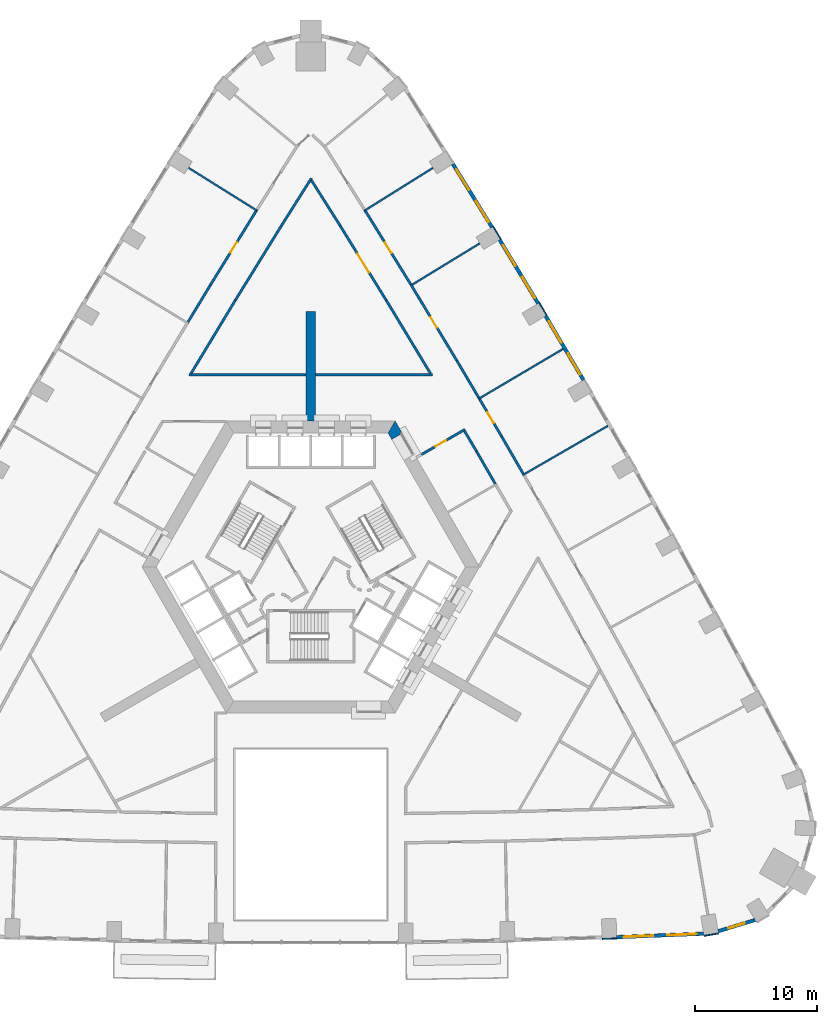
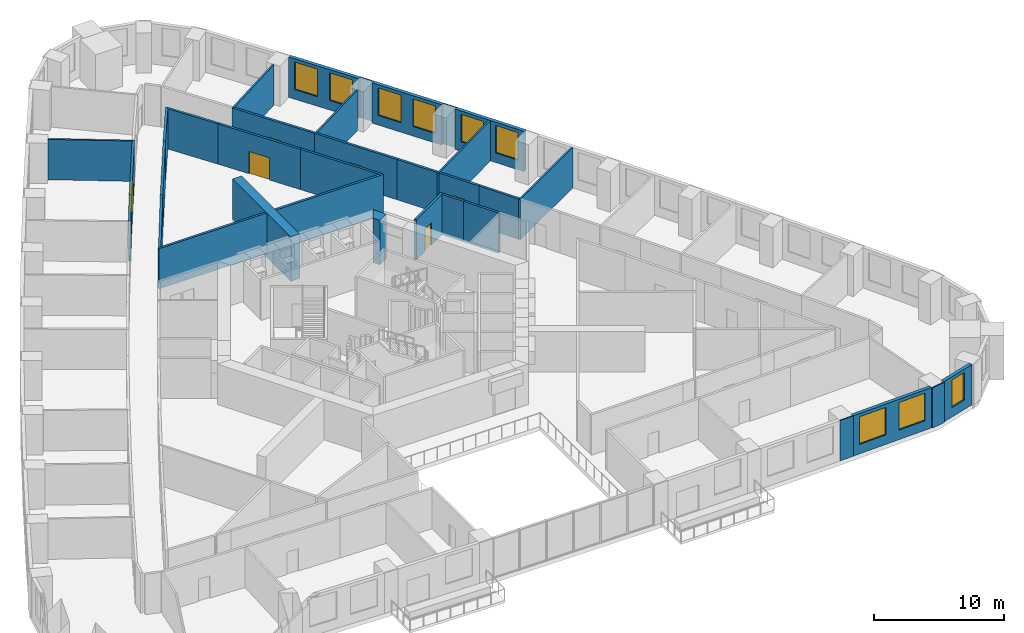
# One storey, part 10 of 15: 34 walls, 9 windows, 6 doors, 15 openings.
"""IFC4 building model written with IfcOpenShell, lengths in metres."""

from ifc_helpers import new_model, si_unit, direction, frame, frame_2d, origin, place, context, subcontext, project, spatial, polyline, rectangle, outline, extrude, material, layer, layer_set, type_object, element, fill, save


model = new_model("IFC4")

# Units and contexts
model_context = context("Model", 3, precision=1e-05, world=origin(), true_north=direction((0.0, 1.0)))
body_context = subcontext(model_context, "Body", "Model", "MODEL_VIEW")
ifc_project = project(units=[si_unit("LENGTHUNIT", "METRE"), si_unit("AREAUNIT", "SQUARE_METRE"), si_unit("VOLUMEUNIT", "CUBIC_METRE"), si_unit("PLANEANGLEUNIT", "RADIAN"), si_unit("MASSUNIT", "GRAM", prefix="KILO")], contexts=[model_context])

# Site, building, storey
site_placement = place(None, origin())
site = spatial("IfcSite", under=ifc_project, at=site_placement, CompositionType="ELEMENT")
building_placement = place(site_placement, origin())
building = spatial("IfcBuilding", under=site, at=building_placement, Name="Entoto Arch Interchange Tower", CompositionType="ELEMENT")
storey_placement = place(building_placement, frame((0.0, 0.0, 39.199951171875)))
storey = spatial("IfcBuildingStorey", under=building, at=storey_placement, Name="L07", CompositionType="ELEMENT", Elevation=39.199951171875)

# Walls
ifc_material_1 = material(Name="Concrete C60/75", Category="concrete")
ifc_layer_1 = layer(ifc_material_1, 0.800048828125)
ifc_layer_set_1 = layer_set([ifc_layer_1], Name="Concrete C60/75")
wall_type_1 = type_object("IfcWallType", Name="Buttress wall 800 C60/75", PredefinedType="SHEAR", material=ifc_layer_set_1)
wall_1_placement = place(storey_placement, frame((0.0, 14.5, -0.39990234375), z_axis=(0.0, 0.0, 1.0), x_axis=(0.0, 1.0, 0.0)))
element("IfcWall", 1, at=wall_1_placement, inside=storey, type_object=wall_type_1, Name="Buttress wall N L07", PredefinedType="SHEAR", context=body_context, shape_type="SweptSolid", body=[
    extrude(rectangle(XDim=9.0, YDim=0.800048828125, at=frame_2d((4.5, 0.0))), origin(), (0.0, 0.0, 1.0), 4.199951171875),
])
ifc_layer_2 = layer(ifc_material_1, 1.0)
ifc_layer_set_2 = layer_set([ifc_layer_2], Name="Concrete C60/75")
wall_type_2 = type_object("IfcWallType", Name="Core wall 1000 C60/75", PredefinedType="SHEAR", material=ifc_layer_set_2)
wall_2_placement = place(storey_placement, frame((0.0, 0.0, -0.39990234375)))
element("IfcWall", 2, at=wall_2_placement, inside=storey, type_object=wall_type_2, Name="Core wall NE L07", PredefinedType="SHEAR", context=body_context, shape_type="SweptSolid", body=[
    extrude(outline(polyline([(6.65087890625, 12.97998046875), (7.51708984375, 13.47998046875), (6.927978515625, 14.5), (6.35107421875, 13.5), (6.65087890625, 12.97998046875)])), origin(), (0.0, 0.0, 1.0), 4.199951171875),
])
ifc_material_2 = material(Name="Gypsum board partition on steel studs", Category="steel")
ifc_layer_3 = layer(ifc_material_2, 0.14990234375)
ifc_layer_set_3 = layer_set([ifc_layer_3], Name="Gypsum board partition on steel studs")
wall_type_3 = type_object("IfcWallType", Name="PARTITION 150", PredefinedType="PARTITIONING", material=ifc_layer_set_3)
wall_3_placement = place(storey_placement, frame((17.39892578125, 10.044921875, 0.0), z_axis=(0.0, 0.0, 1.0), x_axis=(0.865980803489, 0.500077242023, 0.0)))
element("IfcWall", 3, at=wall_3_placement, inside=storey, type_object=wall_type_3, Name="wall:L07:p131", PredefinedType="PARTITIONING", context=body_context, shape_type="SweptSolid", body=[
    extrude(rectangle(XDim=8.100830078125, YDim=0.14990234375, at=frame_2d((4.05029296875, 0.0))), origin(), (0.0, 0.0, 1.0), 3.800048828125),
])
wall_4_placement = place(storey_placement, frame((13.751953125, 16.2890625, 0.0), z_axis=(0.0, 0.0, 1.0), x_axis=(0.86093852802, 0.508709004216, 0.0)))
element("IfcWall", 4, at=wall_4_placement, inside=storey, type_object=wall_type_3, Name="wall:L07:p132", PredefinedType="PARTITIONING", context=body_context, shape_type="SweptSolid", body=[
    extrude(rectangle(XDim=8.1005859375, YDim=0.14990234375, at=frame_2d((4.05029296875, 0.0))), origin(), (0.0, 0.0, 1.0), 3.800048828125),
])
wall_5_placement = place(storey_placement, frame((8.342041015625, 25.696044921875, 0.0), z_axis=(0.0, 0.0, 1.0), x_axis=(0.853252966465, 0.521497243731, 0.0)))
element("IfcWall", 5, at=wall_5_placement, inside=storey, type_object=wall_type_3, Name="wall:L07:p133", PredefinedType="PARTITIONING", context=body_context, shape_type="SweptSolid", body=[
    extrude(rectangle(XDim=6.481201171875, YDim=0.14990234375, at=frame_2d((3.24072265625, 0.0))), origin(), (0.0, 0.0, 1.0), 3.800048828125),
])
for number, where, z_axis, x_axis, name in (
    (6, (4.4541015625, 31.7958984375, 0.0), (0.0, 0.0, 1.0), (0.847954529694, 0.530068972467, 0.0), "wall:L07:p134"),
    (7, (-4.4541015625, 31.7958984375, 0.0), (0.0, 0.0, 1.0), (-0.847954529694, 0.530068972467, 0.0), "wall:L07:p137"),
):
    element("IfcWall", number, at=place(storey_placement, frame(where, z_axis=z_axis, x_axis=x_axis)), inside=storey, type_object=wall_type_3, Name=name, PredefinedType="PARTITIONING", context=body_context, shape_type="SweptSolid", body=[
        extrude(rectangle(XDim=6.580322265625, YDim=0.14990234375, at=frame_2d((3.2900390625, 0.0))), origin(), (0.0, 0.0, 1.0), 3.800048828125),
    ])
ifc_layer_4 = layer(ifc_material_2, 0.199951171875)
ifc_layer_set_4 = layer_set([ifc_layer_4], Name="Gypsum board partition on steel studs")
wall_type_4 = type_object("IfcWallType", Name="PARTITION 200", PredefinedType="PARTITIONING", material=ifc_layer_set_4)
wall_6_placement = place(storey_placement, frame((15.156982421875, 9.330078125, 0.0), z_axis=(0.0, 0.0, 1.0), x_axis=(-0.500058580706, 0.865991579556, 0.0)))
element("IfcWall", 8, at=wall_6_placement, inside=storey, type_object=wall_type_4, Name="wall:L07:p004", PredefinedType="PARTITIONING", context=body_context, shape_type="SweptSolid", body=[
    extrude(rectangle(XDim=3.101806640625, YDim=0.199951171875, at=frame_2d((1.55078125, 0.0))), origin(), (0.0, 0.0, 1.0), 3.800048828125),
])
wall_7_placement = place(storey_placement, frame((13.60595703125, 12.01611328125, 0.0), z_axis=(0.0, 0.0, 1.0), x_axis=(-0.508832553058, 0.860865513857, 0.0)))
element("IfcWall", 9, at=wall_7_placement, inside=storey, type_object=wall_type_4, Name="wall:L07:p005", PredefinedType="PARTITIONING", context=body_context, shape_type="SweptSolid", body=[
    extrude(rectangle(XDim=1.912109375, YDim=0.199951171875, at=frame_2d((0.9560546875, 0.0))), origin(), (0.0, 0.0, 1.0), 3.800048828125),
])

# Wall, opening, door
wall_8_placement = place(storey_placement, frame((12.6689453125, 13.799072265625, 0.0), z_axis=(0.0, 0.0, 1.0), x_axis=(-0.865966559136, -0.500101908074, 0.0)))
wall_8 = element("IfcWall", 10, at=wall_8_placement, inside=storey, type_object=wall_type_4, Name="wall:L07:p006", PredefinedType="PARTITIONING", context=body_context, shape_type="SweptSolid", body=[
    extrude(rectangle(XDim=4.121337890625, YDim=0.199951171875, at=frame_2d((2.060546875, 0.0))), origin(), (0.0, 0.0, 1.0), 3.800048828125),
])
opening_1_placement = place(wall_8_placement, frame((1.81005859375, 0.0, 0.0)))
opening_1 = element("IfcOpeningElement", 11, at=opening_1_placement, cuts=wall_8, Name="Opening L07-D36", PredefinedType="OPENING", context=body_context, shape_type="SweptSolid", body=[
    extrude(rectangle(XDim=1.0, YDim=2.10009765625, at=frame_2d((0.5, 1.050048828125))), frame((0.0, 0.10986328125, 0.0), z_axis=(0.0, -1.0, 0.0), x_axis=(1.0, 0.0, 0.0)), (0.0, 0.0, 1.0), 0.219970703125),
])
ifc_material_3 = material(Name="Timber door leaf in Steel S235 frame", Category="steel")
door_type_1 = type_object("IfcDoorType", Name="DOOR DS-10 1000x2100", OperationType="SINGLE_SWING_LEFT", PredefinedType="DOOR", material=ifc_material_3)
door_1_placement = place(opening_1_placement, origin())
door_1 = element("IfcDoor", 12, at=door_1_placement, inside=storey, type_object=door_type_1, Name="door:L07:36", OperationType="SINGLE_SWING_LEFT", OverallHeight=2.10009765625, OverallWidth=1.0, PredefinedType="DOOR", context=body_context, shape_type="SweptSolid", body=[
    extrude(rectangle(XDim=1.0, YDim=2.10009765625, at=frame_2d((0.5, 1.050048828125))), frame((0.0, 0.02490234375, 0.0), z_axis=(0.0, -1.0, 0.0), x_axis=(1.0, 0.0, 0.0)), (0.0, 0.0, 1.0), 0.050048828125),
])
fill(opening_1, door_1)

# Wall
wall_9_placement = place(storey_placement, frame((9.840087890625, 18.385986328125, 0.0), z_axis=(0.0, 0.0, 1.0), x_axis=(-0.51736780002, 0.85576314451, 0.0)))
element("IfcWall", 13, at=wall_9_placement, inside=storey, type_object=wall_type_4, Name="wall:L07:p008", PredefinedType="PARTITIONING", context=body_context, shape_type="SweptSolid", body=[
    extrude(rectangle(XDim=7.018310546875, YDim=0.199951171875, at=frame_2d((3.50927734375, 0.0))), origin(), (0.0, 0.0, 1.0), 3.800048828125),
])

# Wall, opening, door
wall_10_placement = place(storey_placement, frame((6.208984375, 24.39208984375, 0.0), z_axis=(0.0, 0.0, 1.0), x_axis=(-0.525766851327, 0.850628719269, 0.0)))
wall_10 = element("IfcWall", 14, at=wall_10_placement, inside=storey, type_object=wall_type_4, Name="wall:L07:p009", PredefinedType="PARTITIONING", context=body_context, shape_type="SweptSolid", body=[
    extrude(rectangle(XDim=7.20849609375, YDim=0.199951171875, at=frame_2d((3.604248046875, 0.0))), origin(), (0.0, 0.0, 1.0), 3.800048828125),
])
opening_2_placement = place(wall_10_placement, frame((2.7041015625, 0.0, 0.0)))
opening_2 = element("IfcOpeningElement", 15, at=opening_2_placement, cuts=wall_10, Name="Opening L07-D29", PredefinedType="OPENING", context=body_context, shape_type="SweptSolid", body=[
    extrude(rectangle(XDim=1.800048828125, YDim=2.10009765625, at=frame_2d((0.89990234375, 1.050048828125))), frame((0.0, 0.10986328125, 0.0), z_axis=(0.0, -1.0, 0.0), x_axis=(1.0, 0.0, 0.0)), (0.0, 0.0, 1.0), 0.219970703125),
])
door_type_2 = type_object("IfcDoorType", Name="DOOR DD-18 1800x2100", OperationType="DOUBLE_DOOR_SINGLE_SWING", PredefinedType="DOOR", material=ifc_material_3)
door_2_placement = place(opening_2_placement, origin())
door_2 = element("IfcDoor", 16, at=door_2_placement, inside=storey, type_object=door_type_2, Name="door:L07:29", OperationType="DOUBLE_DOOR_SINGLE_SWING", OverallHeight=2.10009765625, OverallWidth=1.800048828125, PredefinedType="DOOR", context=body_context, shape_type="SweptSolid", body=[
    extrude(rectangle(XDim=1.800048828125, YDim=2.10009765625, at=frame_2d((0.89990234375, 1.050048828125))), frame((0.0, 0.02490234375, 0.0), z_axis=(0.0, -1.0, 0.0), x_axis=(1.0, 0.0, 0.0)), (0.0, 0.0, 1.0), 0.050048828125),
])
fill(opening_2, door_2)

# Walls
wall_11_placement = place(storey_placement, frame((2.4189453125, 30.52392578125, 0.0), z_axis=(0.0, 0.0, 1.0), x_axis=(-0.534393348019, 0.845235913573, 0.0)))
element("IfcWall", 17, at=wall_11_placement, inside=storey, type_object=wall_type_4, Name="wall:L07:p010", PredefinedType="PARTITIONING", context=body_context, shape_type="SweptSolid", body=[
    extrude(rectangle(XDim=4.427490234375, YDim=0.199951171875, at=frame_2d((2.2138671875, 0.0))), origin(), (0.0, 0.0, 1.0), 3.800048828125),
])
wall_12_placement = place(storey_placement, frame((0.052978515625, 34.43505859375, 0.0), z_axis=(0.0, 0.0, 1.0), x_axis=(-0.534260976666, -0.845319589748, 0.0)))
element("IfcWall", 18, at=wall_12_placement, inside=storey, type_object=wall_type_4, Name="wall:L07:p011", PredefinedType="PARTITIONING", context=body_context, shape_type="SweptSolid", body=[
    extrude(rectangle(XDim=4.626708984375, YDim=0.199951171875, at=frame_2d((2.3134765625, 0.0))), origin(), (0.0, 0.0, 1.0), 3.800048828125),
])
wall_13_placement = place(storey_placement, frame((-2.4189453125, 30.52392578125, 0.0), z_axis=(0.0, 0.0, 1.0), x_axis=(-0.525766851327, -0.850628719269, 0.0)))
element("IfcWall", 19, at=wall_13_placement, inside=storey, type_object=wall_type_4, Name="wall:L07:p012", PredefinedType="PARTITIONING", context=body_context, shape_type="SweptSolid", body=[
    extrude(rectangle(XDim=7.20849609375, YDim=0.199951171875, at=frame_2d((3.604248046875, 0.0))), origin(), (0.0, 0.0, 1.0), 3.800048828125),
])
wall_14_placement = place(storey_placement, frame((-6.208984375, 24.39208984375, 0.0), z_axis=(0.0, 0.0, 1.0), x_axis=(-0.51736780002, -0.85576314451, 0.0)))
element("IfcWall", 20, at=wall_14_placement, inside=storey, type_object=wall_type_4, Name="wall:L07:p013", PredefinedType="PARTITIONING", context=body_context, shape_type="SweptSolid", body=[
    extrude(rectangle(XDim=7.018310546875, YDim=0.199951171875, at=frame_2d((3.50927734375, 0.0))), origin(), (0.0, 0.0, 1.0), 3.800048828125),
])

# Wall, opening, door
wall_15_placement = place(storey_placement, frame((13.876953125, 16.27490234375, 0.0), z_axis=(0.0, 0.0, 1.0), x_axis=(0.508613166028, -0.860995149431, 0.0)))
wall_15 = element("IfcWall", 21, at=wall_15_placement, inside=storey, type_object=wall_type_4, Name="wall:L07:p047", PredefinedType="PARTITIONING", context=body_context, shape_type="SweptSolid", body=[
    extrude(rectangle(XDim=3.541015625, YDim=0.199951171875, at=frame_2d((1.7705078125, 0.0))), origin(), (0.0, 0.0, 1.0), 3.800048828125),
])
opening_3_placement = place(wall_15_placement, frame((1.27099609375, 0.0, 0.0)))
opening_3 = element("IfcOpeningElement", 22, at=opening_3_placement, cuts=wall_15, Name="Opening L07-D07", PredefinedType="OPENING", context=body_context, shape_type="SweptSolid", body=[
    extrude(rectangle(XDim=1.0, YDim=2.10009765625, at=frame_2d((0.5, 1.050048828125))), frame((0.0, 0.10986328125, 0.0), z_axis=(0.0, -1.0, 0.0), x_axis=(1.0, 0.0, 0.0)), (0.0, 0.0, 1.0), 0.219970703125),
])
door_3_placement = place(opening_3_placement, origin())
door_3 = element("IfcDoor", 23, at=door_3_placement, inside=storey, type_object=door_type_1, Name="door:L07:07", OperationType="SINGLE_SWING_LEFT", OverallHeight=2.10009765625, OverallWidth=1.0, PredefinedType="DOOR", context=body_context, shape_type="SweptSolid", body=[
    extrude(rectangle(XDim=1.0, YDim=2.10009765625, at=frame_2d((0.5, 1.050048828125))), frame((0.0, 0.02490234375, 0.0), z_axis=(0.0, -1.0, 0.0), x_axis=(1.0, 0.0, 0.0)), (0.0, 0.0, 1.0), 0.050048828125),
])
fill(opening_3, door_3)

# Wall
wall_16_placement = place(storey_placement, frame((15.677978515625, 13.22607421875, 0.0), z_axis=(0.0, 0.0, 1.0), x_axis=(0.499951278228, -0.866053531485, 0.0)))
element("IfcWall", 24, at=wall_16_placement, inside=storey, type_object=wall_type_4, Name="wall:L07:p048", PredefinedType="PARTITIONING", context=body_context, shape_type="SweptSolid", body=[
    extrude(rectangle(XDim=3.540283203125, YDim=0.199951171875, at=frame_2d((1.77001953125, 0.0))), origin(), (0.0, 0.0, 1.0), 3.800048828125),
])

# Wall, opening, door
wall_17_placement = place(storey_placement, frame((8.218017578125, 25.7080078125, 0.0), z_axis=(0.0, 0.0, 1.0), x_axis=(0.517278800461, -0.855816944559, 0.0)))
wall_17 = element("IfcWall", 25, at=wall_17_placement, inside=storey, type_object=wall_type_4, Name="wall:L07:p049", PredefinedType="PARTITIONING", context=body_context, shape_type="SweptSolid", body=[
    extrude(rectangle(XDim=7.3076171875, YDim=0.199951171875, at=frame_2d((3.65380859375, 0.0))), origin(), (0.0, 0.0, 1.0), 3.800048828125),
])
opening_4_placement = place(wall_17_placement, frame((3.154052734375, 0.0, 0.0)))
opening_4 = element("IfcOpeningElement", 26, at=opening_4_placement, cuts=wall_17, Name="Opening L07-D08", PredefinedType="OPENING", context=body_context, shape_type="SweptSolid", body=[
    extrude(rectangle(XDim=1.0, YDim=2.10009765625, at=frame_2d((0.5, 1.050048828125))), frame((0.0, 0.10986328125, 0.0), z_axis=(0.0, -1.0, 0.0), x_axis=(1.0, 0.0, 0.0)), (0.0, 0.0, 1.0), 0.219970703125),
])
door_4_placement = place(opening_4_placement, origin())
door_4 = element("IfcDoor", 27, at=door_4_placement, inside=storey, type_object=door_type_1, Name="door:L07:08", OperationType="SINGLE_SWING_LEFT", OverallHeight=2.10009765625, OverallWidth=1.0, PredefinedType="DOOR", context=body_context, shape_type="SweptSolid", body=[
    extrude(rectangle(XDim=1.0, YDim=2.10009765625, at=frame_2d((0.5, 1.050048828125))), frame((0.0, 0.02490234375, 0.0), z_axis=(0.0, -1.0, 0.0), x_axis=(1.0, 0.0, 0.0)), (0.0, 0.0, 1.0), 0.050048828125),
])
fill(opening_4, door_4)

# Wall
wall_18_placement = place(storey_placement, frame((11.998046875, 19.4541015625, 0.0), z_axis=(0.0, 0.0, 1.0), x_axis=(0.508666621784, -0.860963569428, 0.0)))
element("IfcWall", 28, at=wall_18_placement, inside=storey, type_object=wall_type_4, Name="wall:L07:p050", PredefinedType="PARTITIONING", context=body_context, shape_type="SweptSolid", body=[
    extrude(rectangle(XDim=3.54248046875, YDim=0.199951171875, at=frame_2d((1.771240234375, 0.0))), origin(), (0.0, 0.0, 1.0), 3.800048828125),
])

# Wall, opening, door
wall_19_placement = place(storey_placement, frame((4.4140625, 31.860107421875, 0.0), z_axis=(0.0, 0.0, 1.0), x_axis=(0.525906013367, -0.850542688584, 0.0)))
wall_19 = element("IfcWall", 29, at=wall_19_placement, inside=storey, type_object=wall_type_4, Name="wall:L07:p051", PredefinedType="PARTITIONING", context=body_context, shape_type="SweptSolid", body=[
    extrude(rectangle(XDim=7.233154296875, YDim=0.199951171875, at=frame_2d((3.61669921875, 0.0))), origin(), (0.0, 0.0, 1.0), 3.800048828125),
])
opening_5_placement = place(wall_19_placement, frame((3.19091796875, 0.0, 0.0)))
opening_5 = element("IfcOpeningElement", 30, at=opening_5_placement, cuts=wall_19, Name="Opening L07-D09", PredefinedType="OPENING", context=body_context, shape_type="SweptSolid", body=[
    extrude(rectangle(XDim=1.0, YDim=2.10009765625, at=frame_2d((0.5, 1.050048828125))), frame((0.0, 0.10986328125, 0.0), z_axis=(0.0, -1.0, 0.0), x_axis=(1.0, 0.0, 0.0)), (0.0, 0.0, 1.0), 0.219970703125),
])
door_5_placement = place(opening_5_placement, origin())
door_5 = element("IfcDoor", 31, at=door_5_placement, inside=storey, type_object=door_type_1, Name="door:L07:09", OperationType="SINGLE_SWING_LEFT", OverallHeight=2.10009765625, OverallWidth=1.0, PredefinedType="DOOR", context=body_context, shape_type="SweptSolid", body=[
    extrude(rectangle(XDim=1.0, YDim=2.10009765625, at=frame_2d((0.5, 1.050048828125))), frame((0.0, 0.02490234375, 0.0), z_axis=(0.0, -1.0, 0.0), x_axis=(1.0, 0.0, 0.0)), (0.0, 0.0, 1.0), 0.050048828125),
])
fill(opening_5, door_5)

# Wall
wall_20_placement = place(storey_placement, frame((-10.089111328125, 22.613037109375, 0.0), z_axis=(0.0, 0.0, 1.0), x_axis=(0.517280808896, 0.855815730603, 0.0)))
element("IfcWall", 32, at=wall_20_placement, inside=storey, type_object=wall_type_4, Name="wall:L07:p056", PredefinedType="PARTITIONING", context=body_context, shape_type="SweptSolid", body=[
    extrude(rectangle(XDim=3.541748046875, YDim=0.199951171875, at=frame_2d((1.77099609375, 0.0))), origin(), (0.0, 0.0, 1.0), 3.800048828125),
])

# Wall, opening, door
wall_21_placement = place(storey_placement, frame((-8.257080078125, 25.64404296875, 0.0), z_axis=(0.0, 0.0, 1.0), x_axis=(0.525857693262, 0.850572563887, 0.0)))
wall_21 = element("IfcWall", 33, at=wall_21_placement, inside=storey, type_object=wall_type_4, Name="wall:L07:p057", PredefinedType="PARTITIONING", context=body_context, shape_type="SweptSolid", body=[
    extrude(rectangle(XDim=7.30810546875, YDim=0.199951171875, at=frame_2d((3.654052734375, 0.0))), origin(), (0.0, 0.0, 1.0), 3.800048828125),
])
opening_6_placement = place(wall_21_placement, frame((3.154052734375, 0.0, 0.0)))
opening_6 = element("IfcOpeningElement", 34, at=opening_6_placement, cuts=wall_21, Name="Opening L07-D13", PredefinedType="OPENING", context=body_context, shape_type="SweptSolid", body=[
    extrude(rectangle(XDim=1.0, YDim=2.10009765625, at=frame_2d((0.5, 1.050048828125))), frame((0.0, 0.10986328125, 0.0), z_axis=(0.0, -1.0, 0.0), x_axis=(1.0, 0.0, 0.0)), (0.0, 0.0, 1.0), 0.219970703125),
])
door_6_placement = place(opening_6_placement, origin())
door_6 = element("IfcDoor", 35, at=door_6_placement, inside=storey, type_object=door_type_1, Name="door:L07:13", OperationType="SINGLE_SWING_LEFT", OverallHeight=2.10009765625, OverallWidth=1.0, PredefinedType="DOOR", context=body_context, shape_type="SweptSolid", body=[
    extrude(rectangle(XDim=1.0, YDim=2.10009765625, at=frame_2d((0.5, 1.050048828125))), frame((0.0, 0.02490234375, 0.0), z_axis=(0.0, -1.0, 0.0), x_axis=(1.0, 0.0, 0.0)), (0.0, 0.0, 1.0), 0.050048828125),
])
fill(opening_6, door_6)

# Walls
for number, where, z_axis, x_axis, name in (
    (36, (-9.991943359375, 18.300048828125, 0.0), (0.0, 0.0, 1.0), (1.0, 0.0, 0.0), "wall:L07:p110"),
    (37, (0.39990234375, 18.300048828125, 0.0), (0.0, 0.0, 1.0), (1.0, 0.0, 0.0), "wall:L07:p110"),
):
    element("IfcWall", number, at=place(storey_placement, frame(where, z_axis=z_axis, x_axis=x_axis)), inside=storey, type_object=wall_type_4, Name=name, PredefinedType="PARTITIONING", context=body_context, shape_type="SweptSolid", body=[
        extrude(rectangle(XDim=9.592041015625, YDim=0.199951171875, at=frame_2d((4.7958984375, 0.0))), origin(), (0.0, 0.0, 1.0), 3.800048828125),
    ])

# Wall, openings, windows
ifc_material_4 = material(Name="Welded tuff (ignimbrite) cladding, warm buff", Category="masonry")
ifc_layer_5 = layer(ifc_material_4, 0.300048828125)
ifc_layer_set_5 = layer_set([ifc_layer_5], Name="Welded tuff (ignimbrite) cladding, warm buff")
wall_type_5 = type_object("IfcWallType", Name="STONE INFILL WALL 300", PredefinedType="STANDARD", material=ifc_layer_set_5)
wall_22_placement = place(storey_placement, frame((25.134033203125, -27.9140625, 0.0), z_axis=(0.0, 0.0, 1.0), x_axis=(0.999228146648, 0.039282450878, 0.0)))
wall_22 = element("IfcWall", 38, at=wall_22_placement, inside=storey, type_object=wall_type_5, Name="Facade wall S-07 L07", PredefinedType="STANDARD", context=body_context, shape_type="SweptSolid", body=[
    extrude(rectangle(XDim=7.153564453125, YDim=0.300048828125, at=frame_2d((3.57666015625, 0.0))), origin(), (0.0, 0.0, 1.0), 3.800048828125),
])
opening_7_placement = place(wall_22_placement, frame((0.587890625, 0.0, 0.89990234375)))
opening_7 = element("IfcOpeningElement", 39, at=opening_7_placement, cuts=wall_22, Name="Opening WO-A", PredefinedType="OPENING", context=body_context, shape_type="SweptSolid", body=[
    extrude(rectangle(XDim=2.39990234375, YDim=2.60009765625, at=frame_2d((1.199951171875, 1.300048828125))), frame((0.0, 0.16015625, 0.0), z_axis=(0.0, -1.0, 0.0), x_axis=(1.0, 0.0, 0.0)), (0.0, 0.0, 1.0), 0.320068359375),
])
opening_8_placement = place(wall_22_placement, frame((4.1650390625, 0.0, 0.89990234375)))
opening_8 = element("IfcOpeningElement", 40, at=opening_8_placement, cuts=wall_22, Name="Opening WO-A", PredefinedType="OPENING", context=body_context, shape_type="SweptSolid", body=[
    extrude(rectangle(XDim=2.39990234375, YDim=2.60009765625, at=frame_2d((1.199951171875, 1.300048828125))), frame((0.0, 0.16015625, 0.0), z_axis=(0.0, -1.0, 0.0), x_axis=(1.0, 0.0, 0.0)), (0.0, 0.0, 1.0), 0.320068359375),
])
ifc_material_5 = material(Name="Clear glass, low-e double glazed", Category="glass")
window_type_1 = type_object("IfcWindowType", Name="WINDOW WO-A 2400x2600", PartitioningType="DOUBLE_PANEL_VERTICAL", PredefinedType="WINDOW", material=ifc_material_5)
window_1_placement = place(opening_7_placement, origin())
window_1 = element("IfcWindow", 41, at=window_1_placement, inside=storey, type_object=window_type_1, Name="Window WO-A S-07 L07", OverallHeight=2.60009765625, OverallWidth=2.39990234375, PartitioningType="SINGLE_PANEL", PredefinedType="WINDOW", context=body_context, shape_type="SweptSolid", body=[
    extrude(rectangle(XDim=2.39990234375, YDim=2.60009765625, at=frame_2d((1.199951171875, 1.300048828125))), frame((0.0, 0.030029296875, 0.0), z_axis=(0.0, -1.0, 0.0), x_axis=(1.0, 0.0, 0.0)), (0.0, 0.0, 1.0), 0.06005859375),
])
fill(opening_7, window_1)
window_2_placement = place(opening_8_placement, origin())
window_2 = element("IfcWindow", 42, at=window_2_placement, inside=storey, type_object=window_type_1, Name="Window WO-A S-07 L07", OverallHeight=2.60009765625, OverallWidth=2.39990234375, PartitioningType="SINGLE_PANEL", PredefinedType="WINDOW", context=body_context, shape_type="SweptSolid", body=[
    extrude(rectangle(XDim=2.39990234375, YDim=2.60009765625, at=frame_2d((1.199951171875, 1.300048828125))), frame((0.0, 0.030029296875, 0.0), z_axis=(0.0, -1.0, 0.0), x_axis=(1.0, 0.0, 0.0)), (0.0, 0.0, 1.0), 0.06005859375),
])
fill(opening_8, window_2)

# Wall, opening, window
wall_23_placement = place(storey_placement, frame((33.464111328125, -27.43310546875, 0.0), z_axis=(0.0, 0.0, 1.0), x_axis=(0.95648967224, 0.291766185322, 0.0)))
wall_23 = element("IfcWall", 43, at=wall_23_placement, inside=storey, type_object=wall_type_5, Name="Facade wall SE-01 L07", PredefinedType="STANDARD", context=body_context, shape_type="SweptSolid", body=[
    extrude(rectangle(XDim=3.181396484375, YDim=0.300048828125, at=frame_2d((1.5908203125, 0.0))), origin(), (0.0, 0.0, 1.0), 3.800048828125),
])
opening_9_placement = place(wall_23_placement, frame((0.89111328125, 0.0, 0.89990234375)))
opening_9 = element("IfcOpeningElement", 44, at=opening_9_placement, cuts=wall_23, Name="Opening WO-B", PredefinedType="OPENING", context=body_context, shape_type="SweptSolid", body=[
    extrude(rectangle(XDim=1.39990234375, YDim=2.60009765625, at=frame_2d((0.699951171875, 1.300048828125))), frame((0.0, 0.16015625, 0.0), z_axis=(0.0, -1.0, 0.0), x_axis=(1.0, 0.0, 0.0)), (0.0, 0.0, 1.0), 0.320068359375),
])
window_type_2 = type_object("IfcWindowType", Name="WINDOW WO-B 1400x2600", PartitioningType="DOUBLE_PANEL_VERTICAL", PredefinedType="WINDOW", material=ifc_material_5)
window_3_placement = place(opening_9_placement, origin())
window_3 = element("IfcWindow", 45, at=window_3_placement, inside=storey, type_object=window_type_2, Name="Window WO-B SE-01 L07", OverallHeight=2.60009765625, OverallWidth=1.39990234375, PartitioningType="SINGLE_PANEL", PredefinedType="WINDOW", context=body_context, shape_type="SweptSolid", body=[
    extrude(rectangle(XDim=1.39990234375, YDim=2.60009765625, at=frame_2d((0.699951171875, 1.300048828125))), frame((0.0, 0.030029296875, 0.0), z_axis=(0.0, -1.0, 0.0), x_axis=(1.0, 0.0, 0.0)), (0.0, 0.0, 1.0), 0.06005859375),
])
fill(opening_9, window_3)

# Wall, openings, windows
wall_24_placement = place(storey_placement, frame((22.410888671875, 17.85302734375, 0.0), z_axis=(0.0, 0.0, 1.0), x_axis=(-0.508749483145, 0.860914608658, 0.0)))
wall_24 = element("IfcWall", 46, at=wall_24_placement, inside=storey, type_object=wall_type_5, Name="Facade wall NE-06 L07", PredefinedType="STANDARD", context=body_context, shape_type="SweptSolid", body=[
    extrude(rectangle(XDim=6.11669921875, YDim=0.300048828125, at=frame_2d((3.058349609375, 0.0))), origin(), (0.0, 0.0, 1.0), 3.800048828125),
])
opening_10_placement = place(wall_24_placement, frame((0.529052734375, 0.0, 0.89990234375)))
opening_10 = element("IfcOpeningElement", 47, at=opening_10_placement, cuts=wall_24, Name="Opening WO-C", PredefinedType="OPENING", context=body_context, shape_type="SweptSolid", body=[
    extrude(rectangle(XDim=2.0, YDim=2.60009765625, at=frame_2d((1.0, 1.300048828125))), frame((0.0, 0.16015625, 0.0), z_axis=(0.0, -1.0, 0.0), x_axis=(1.0, 0.0, 0.0)), (0.0, 0.0, 1.0), 0.320068359375),
])
opening_11_placement = place(wall_24_placement, frame((3.587890625, 0.0, 0.89990234375)))
opening_11 = element("IfcOpeningElement", 48, at=opening_11_placement, cuts=wall_24, Name="Opening WO-C", PredefinedType="OPENING", context=body_context, shape_type="SweptSolid", body=[
    extrude(rectangle(XDim=2.0, YDim=2.60009765625, at=frame_2d((1.0, 1.300048828125))), frame((0.0, 0.16015625, 0.0), z_axis=(0.0, -1.0, 0.0), x_axis=(1.0, 0.0, 0.0)), (0.0, 0.0, 1.0), 0.320068359375),
])
window_type_3 = type_object("IfcWindowType", Name="WINDOW WO-C 2000x2600", PartitioningType="DOUBLE_PANEL_VERTICAL", PredefinedType="WINDOW", material=ifc_material_5)
window_4_placement = place(opening_10_placement, origin())
window_4 = element("IfcWindow", 49, at=window_4_placement, inside=storey, type_object=window_type_3, Name="Window WO-C NE-06 L07", OverallHeight=2.60009765625, OverallWidth=2.0, PartitioningType="SINGLE_PANEL", PredefinedType="WINDOW", context=body_context, shape_type="SweptSolid", body=[
    extrude(rectangle(XDim=2.0, YDim=2.60009765625, at=frame_2d((1.0, 1.300048828125))), frame((0.0, 0.030029296875, 0.0), z_axis=(0.0, -1.0, 0.0), x_axis=(1.0, 0.0, 0.0)), (0.0, 0.0, 1.0), 0.06005859375),
])
fill(opening_10, window_4)
window_5_placement = place(opening_11_placement, origin())
window_5 = element("IfcWindow", 50, at=window_5_placement, inside=storey, type_object=window_type_3, Name="Window WO-C NE-06 L07", OverallHeight=2.60009765625, OverallWidth=2.0, PartitioningType="SINGLE_PANEL", PredefinedType="WINDOW", context=body_context, shape_type="SweptSolid", body=[
    extrude(rectangle(XDim=2.0, YDim=2.60009765625, at=frame_2d((1.0, 1.300048828125))), frame((0.0, 0.030029296875, 0.0), z_axis=(0.0, -1.0, 0.0), x_axis=(1.0, 0.0, 0.0)), (0.0, 0.0, 1.0), 0.06005859375),
])
fill(opening_11, window_5)

wall_25_placement = place(storey_placement, frame((18.68408203125, 24.14794921875, 0.0), z_axis=(0.0, 0.0, 1.0), x_axis=(-0.517211293816, 0.855857743757, 0.0)))
wall_25 = element("IfcWall", 51, at=wall_25_placement, inside=storey, type_object=wall_type_5, Name="Facade wall NE-07 L07", PredefinedType="STANDARD", context=body_context, shape_type="SweptSolid", body=[
    extrude(rectangle(XDim=6.11572265625, YDim=0.300048828125, at=frame_2d((3.057861328125, 0.0))), origin(), (0.0, 0.0, 1.0), 3.800048828125),
])
opening_12_placement = place(wall_25_placement, frame((0.529052734375, 0.0, 0.89990234375)))
opening_12 = element("IfcOpeningElement", 52, at=opening_12_placement, cuts=wall_25, Name="Opening WO-C", PredefinedType="OPENING", context=body_context, shape_type="SweptSolid", body=[
    extrude(rectangle(XDim=2.0, YDim=2.60009765625, at=frame_2d((1.0, 1.300048828125))), frame((0.0, 0.16015625, 0.0), z_axis=(0.0, -1.0, 0.0), x_axis=(1.0, 0.0, 0.0)), (0.0, 0.0, 1.0), 0.320068359375),
])
opening_13_placement = place(wall_25_placement, frame((3.5869140625, 0.0, 0.89990234375)))
opening_13 = element("IfcOpeningElement", 53, at=opening_13_placement, cuts=wall_25, Name="Opening WO-C", PredefinedType="OPENING", context=body_context, shape_type="SweptSolid", body=[
    extrude(rectangle(XDim=2.0, YDim=2.60009765625, at=frame_2d((1.0, 1.300048828125))), frame((0.0, 0.16015625, 0.0), z_axis=(0.0, -1.0, 0.0), x_axis=(1.0, 0.0, 0.0)), (0.0, 0.0, 1.0), 0.320068359375),
])
window_6_placement = place(opening_12_placement, origin())
window_6 = element("IfcWindow", 54, at=window_6_placement, inside=storey, type_object=window_type_3, Name="Window WO-C NE-07 L07", OverallHeight=2.60009765625, OverallWidth=2.0, PartitioningType="SINGLE_PANEL", PredefinedType="WINDOW", context=body_context, shape_type="SweptSolid", body=[
    extrude(rectangle(XDim=2.0, YDim=2.60009765625, at=frame_2d((1.0, 1.300048828125))), frame((0.0, 0.030029296875, 0.0), z_axis=(0.0, -1.0, 0.0), x_axis=(1.0, 0.0, 0.0)), (0.0, 0.0, 1.0), 0.06005859375),
])
fill(opening_12, window_6)
window_7_placement = place(opening_13_placement, origin())
window_7 = element("IfcWindow", 55, at=window_7_placement, inside=storey, type_object=window_type_3, Name="Window WO-C NE-07 L07", OverallHeight=2.60009765625, OverallWidth=2.0, PartitioningType="SINGLE_PANEL", PredefinedType="WINDOW", context=body_context, shape_type="SweptSolid", body=[
    extrude(rectangle(XDim=2.0, YDim=2.60009765625, at=frame_2d((1.0, 1.300048828125))), frame((0.0, 0.030029296875, 0.0), z_axis=(0.0, -1.0, 0.0), x_axis=(1.0, 0.0, 0.0)), (0.0, 0.0, 1.0), 0.06005859375),
])
fill(opening_13, window_7)

wall_26_placement = place(storey_placement, frame((14.89599609375, 30.404052734375, 0.0), z_axis=(0.0, 0.0, 1.0), x_axis=(-0.525791118496, 0.850613719447, 0.0)))
wall_26 = element("IfcWall", 56, at=wall_26_placement, inside=storey, type_object=wall_type_5, Name="Facade wall NE-08 L07", PredefinedType="STANDARD", context=body_context, shape_type="SweptSolid", body=[
    extrude(rectangle(XDim=6.11669921875, YDim=0.300048828125, at=frame_2d((3.058349609375, 0.0))), origin(), (0.0, 0.0, 1.0), 3.800048828125),
])
opening_14_placement = place(wall_26_placement, frame((0.529052734375, 0.0, 0.89990234375)))
opening_14 = element("IfcOpeningElement", 57, at=opening_14_placement, cuts=wall_26, Name="Opening WO-C", PredefinedType="OPENING", context=body_context, shape_type="SweptSolid", body=[
    extrude(rectangle(XDim=2.0, YDim=2.60009765625, at=frame_2d((1.0, 1.300048828125))), frame((0.0, 0.16015625, 0.0), z_axis=(0.0, -1.0, 0.0), x_axis=(1.0, 0.0, 0.0)), (0.0, 0.0, 1.0), 0.320068359375),
])
opening_15_placement = place(wall_26_placement, frame((3.587890625, 0.0, 0.89990234375)))
opening_15 = element("IfcOpeningElement", 58, at=opening_15_placement, cuts=wall_26, Name="Opening WO-C", PredefinedType="OPENING", context=body_context, shape_type="SweptSolid", body=[
    extrude(rectangle(XDim=2.0, YDim=2.60009765625, at=frame_2d((1.0, 1.300048828125))), frame((0.0, 0.16015625, 0.0), z_axis=(0.0, -1.0, 0.0), x_axis=(1.0, 0.0, 0.0)), (0.0, 0.0, 1.0), 0.320068359375),
])
window_8_placement = place(opening_14_placement, origin())
window_8 = element("IfcWindow", 59, at=window_8_placement, inside=storey, type_object=window_type_3, Name="Window WO-C NE-08 L07", OverallHeight=2.60009765625, OverallWidth=2.0, PartitioningType="SINGLE_PANEL", PredefinedType="WINDOW", context=body_context, shape_type="SweptSolid", body=[
    extrude(rectangle(XDim=2.0, YDim=2.60009765625, at=frame_2d((1.0, 1.300048828125))), frame((0.0, 0.030029296875, 0.0), z_axis=(0.0, -1.0, 0.0), x_axis=(1.0, 0.0, 0.0)), (0.0, 0.0, 1.0), 0.06005859375),
])
fill(opening_14, window_8)
window_9_placement = place(opening_15_placement, origin())
window_9 = element("IfcWindow", 60, at=window_9_placement, inside=storey, type_object=window_type_3, Name="Window WO-C NE-08 L07", OverallHeight=2.60009765625, OverallWidth=2.0, PartitioningType="SINGLE_PANEL", PredefinedType="WINDOW", context=body_context, shape_type="SweptSolid", body=[
    extrude(rectangle(XDim=2.0, YDim=2.60009765625, at=frame_2d((1.0, 1.300048828125))), frame((0.0, 0.030029296875, 0.0), z_axis=(0.0, -1.0, 0.0), x_axis=(1.0, 0.0, 0.0)), (0.0, 0.0, 1.0), 0.06005859375),
])
fill(opening_15, window_9)

# Walls
ifc_layer_6 = layer(ifc_material_4, 0.10009765625)
ifc_layer_set_6 = layer_set([ifc_layer_6], Name="Welded tuff (ignimbrite) cladding, warm buff")
wall_type_6 = type_object("IfcWallType", Name="STONE PIER CLADDING 100", PredefinedType="STANDARD", material=ifc_layer_set_6)
for number, where, z_axis, x_axis, name in (
    (61, (19.387939453125, 23.1708984375, 0.0), (0.0, 0.0, 1.0), (-0.513238760752, 0.858245870635, 0.0), "Stone pier NE07 L07"),
    (62, (15.60888671875, 29.43505859375, 0.0), (0.0, 0.0, 1.0), (-0.521598117945, 0.853191305251, 0.0), "Stone pier NE08 L07"),
):
    element("IfcWall", number, at=place(storey_placement, frame(where, z_axis=z_axis, x_axis=x_axis)), inside=storey, type_object=wall_type_6, Name=name, PredefinedType="STANDARD", context=body_context, shape_type="SweptSolid", body=[
        extrude(rectangle(XDim=1.2001953125, YDim=0.10009765625, at=frame_2d((0.60009765625, 0.0))), origin(), (0.0, 0.0, 1.0), 3.800048828125),
    ])
for number, where, z_axis, x_axis, name in (
    (63, (23.93896484375, -28.056884765625, 0.0), (0.0, 0.0, 1.0), (0.999449640202, 0.033172529292, 0.0), "Stone pier S07 L07"),
    (64, (32.31103515625, -27.80908203125, 0.0), (0.0, 0.0, 1.0), (0.98597830993, 0.166873522011, 0.0), "Stone pier S08 L07"),
):
    element("IfcWall", number, at=place(storey_placement, frame(where, z_axis=z_axis, x_axis=x_axis)), inside=storey, type_object=wall_type_6, Name=name, PredefinedType="STANDARD", context=body_context, shape_type="SweptSolid", body=[
        extrude(rectangle(XDim=1.19970703125, YDim=0.10009765625, at=frame_2d((0.599853515625, 0.0))), origin(), (0.0, 0.0, 1.0), 3.800048828125),
    ])

save(model, "model.ifc")
